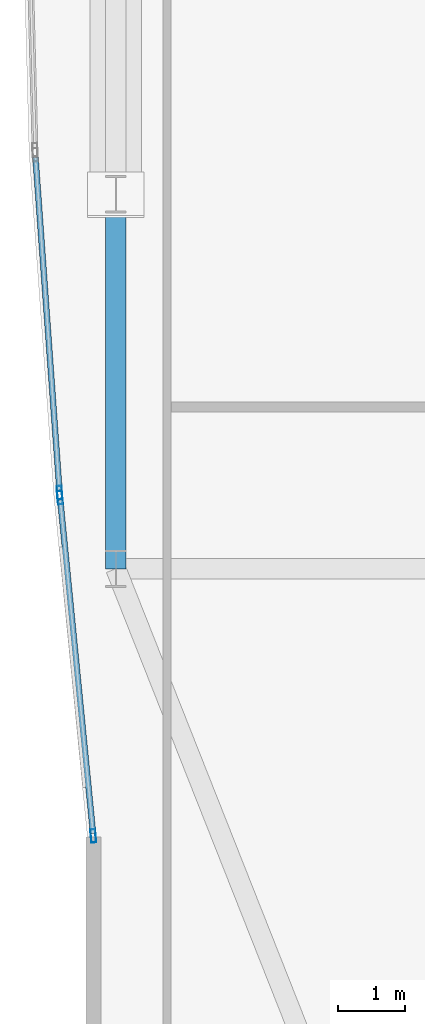
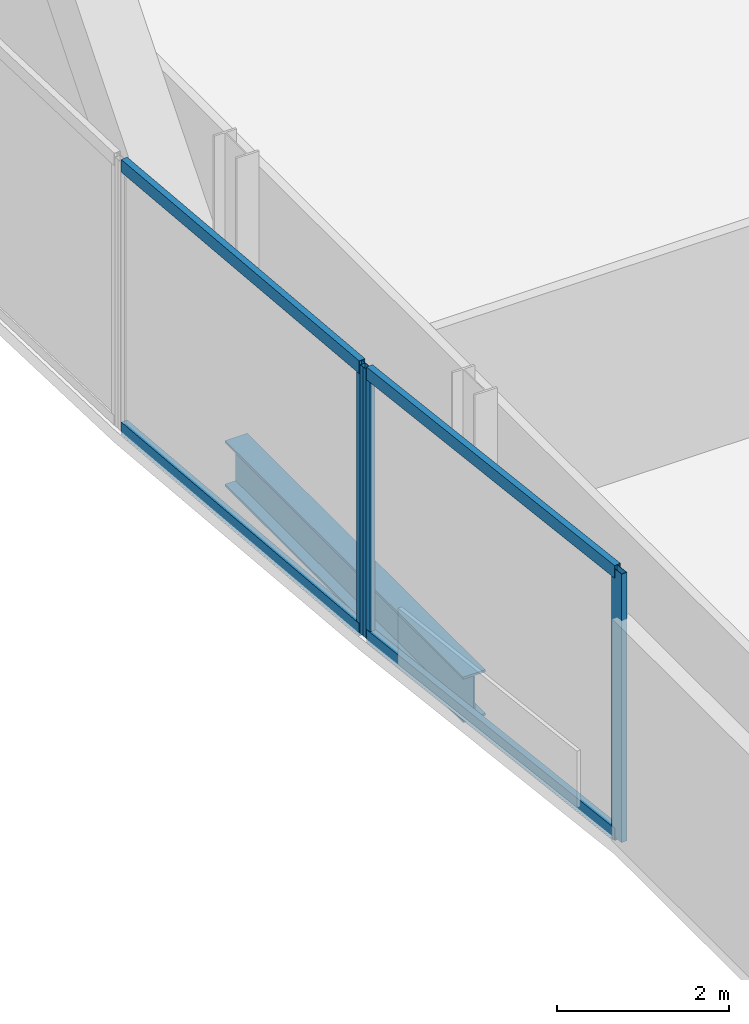
# One storey, part 6 of 33: 7 members, 1 beam, 2 elements without a shape of their own.
"""IFC4 building model written with IfcOpenShell, lengths in metres."""

from ifc_helpers import new_model, si_unit, direction, frame, origin, origin_2d, place, context, subcontext, project, spatial, hollow_rectangle, i_section, extrude, material, material_profile, profile_set, type_object, element, aggregate, save


model = new_model("IFC4")

# Units and contexts
model_context = context("Model", 3, precision=1e-05, world=origin(), true_north=direction((0.0, 1.0)))
body_context = subcontext(model_context, "Body", "Model", "MODEL_VIEW")
ifc_project = project(units=[si_unit("LENGTHUNIT", "METRE"), si_unit("AREAUNIT", "SQUARE_METRE"), si_unit("VOLUMEUNIT", "CUBIC_METRE"), si_unit("PLANEANGLEUNIT", "RADIAN"), si_unit("MASSUNIT", "GRAM", prefix="KILO")], contexts=[model_context])

# Site, building, storey
site_placement = place(None, origin())
site = spatial("IfcSite", under=ifc_project, at=site_placement, CompositionType="ELEMENT")
building_placement = place(site_placement, origin())
building = spatial("IfcBuilding", under=site, at=building_placement, Name="Khoronbel Lancet Exchange", CompositionType="ELEMENT")
storey_placement = place(building_placement, frame((0.0, 0.0, 73.800048828125)))
storey = spatial("IfcBuildingStorey", under=building, at=storey_placement, Name="L17", CompositionType="ELEMENT", Elevation=73.800048828125)

# Beam
ifc_material_1 = material(Name="Steel S355", Category="steel")
ifc_material_profile_1 = material_profile(ifc_material_1, i_section(OverallWidth=0.300048828125, OverallDepth=0.64990234375, WebThickness=0.01611328125, FlangeThickness=0.031005859375, at=origin_2d()), Name="HEB 650")
ifc_profile_set_1 = profile_set([ifc_material_profile_1], Name="Steel S355")
beam_type = type_object("IfcBeamType", Name="BM-BSP1", PredefinedType="SPANDREL", material=ifc_profile_set_1)
beam_placement = place(storey_placement, frame((1.27001953125, 24.75, -0.505126953125), z_axis=(0.0, -1.0, 0.0), x_axis=(1.0, 0.0, 0.0)))
element("IfcBeam", 1, at=beam_placement, inside=storey, type_object=beam_type, Name="Level L17 perimeter spandrel beam SP20", PredefinedType="SPANDREL", context=body_context, shape_type="SweptSolid", body=[
    extrude(i_section(OverallWidth=0.300048828125, OverallDepth=0.64990234375, WebThickness=0.01611328125, FlangeThickness=0.031005859375, at=origin_2d()), origin(), (0.0, 0.0, 1.0), 5.550048828125),
])

# Curtain wall, members
ifc_material_2 = material(Name="Low-E Solar Control Insulating Glass", Category="glass")
curtain_wall_type = type_object("IfcCurtainWallType", Name="CW-4", PredefinedType="NOTDEFINED", material=ifc_material_2)
curtain_wall_1_placement = place(storey_placement, origin())
curtain_wall_1 = element("IfcCurtainWall", 2, at=curtain_wall_1_placement, inside=storey, type_object=curtain_wall_type, Name="Unitised curtain wall CW-L17-E04", PredefinedType="NOTDEFINED")
ifc_material_3 = material(Name="Bronze-Anodised Aluminium 6063-T6", Category="aluminium")
ifc_material_profile_2 = material_profile(ifc_material_3, hollow_rectangle(XDim=0.074951171875, YDim=0.199951171875, WallThickness=0.0048828125, at=origin_2d()), Name="ALU MULLION 75x200")
ifc_profile_set_2 = profile_set([ifc_material_profile_2], Name="Bronze-Anodised Aluminium 6063-T6")
member_type_1 = type_object("IfcMemberType", Name="MEM-CWM2", PredefinedType="MULLION", material=ifc_profile_set_2)
member_1_placement = place(storey_placement, frame((0.936279296875, 15.24169921875, 0.0), z_axis=(0.0, 0.0, 1.0), x_axis=(-0.995197629598, -0.09788604621, 0.0)))
member_1 = element("IfcMember", 3, at=member_1_placement, type_object=member_type_1, Name="CW4 mullion 1", PredefinedType="MULLION", context=body_context, shape_type="SweptSolid", body=[
    extrude(hollow_rectangle(XDim=0.074951171875, YDim=0.199951171875, WallThickness=0.0048828125, at=origin_2d()), origin(), (0.0, 0.0, 1.0), 3.820068359375),
])
member_2_placement = place(storey_placement, frame((0.443359375, 20.253662109375, 0.0), z_axis=(0.0, 0.0, 1.0), x_axis=(-0.995197629598, -0.09788604621, 0.0)))
member_2 = element("IfcMember", 4, at=member_2_placement, type_object=member_type_1, Name="CW4 mullion 2", PredefinedType="MULLION", context=body_context, shape_type="SweptSolid", body=[
    extrude(hollow_rectangle(XDim=0.074951171875, YDim=0.199951171875, WallThickness=0.0048828125, at=origin_2d()), origin(), (0.0, 0.0, 1.0), 3.820068359375),
])

# Curtain wall, member
curtain_wall_2_placement = place(storey_placement, origin())
curtain_wall_2 = element("IfcCurtainWall", 5, at=curtain_wall_2_placement, inside=storey, type_object=curtain_wall_type, Name="Unitised curtain wall CW-L17-E05", PredefinedType="NOTDEFINED")
member_3_placement = place(storey_placement, frame((0.43701171875, 20.328369140625, 0.0), z_axis=(0.0, 0.0, 1.0), x_axis=(-0.997417674327, -0.071819098708, 0.0)))
member_3 = element("IfcMember", 6, at=member_3_placement, type_object=member_type_1, Name="CW4 mullion 1", PredefinedType="MULLION", context=body_context, shape_type="SweptSolid", body=[
    extrude(hollow_rectangle(XDim=0.074951171875, YDim=0.199951171875, WallThickness=0.0048828125, at=origin_2d()), origin(), (0.0, 0.0, 1.0), 3.820068359375),
])

# Member
ifc_material_profile_3 = material_profile(ifc_material_3, hollow_rectangle(XDim=0.0849609375, YDim=0.179931640625, WallThickness=0.0048828125, at=origin_2d()), Name="ALU TRANSOM 85x180")
ifc_profile_set_3 = profile_set([ifc_material_profile_3], Name="Bronze-Anodised Aluminium 6063-T6")
member_type_2 = type_object("IfcMemberType", Name="MEM-CWT1", PredefinedType="USERDEFINED", material=ifc_profile_set_3)
member_4_placement = place(storey_placement, frame((0.9326171875, 15.279052734375, 0.04248046875), z_axis=(-0.097881078823, 0.99519811817, 0.0), x_axis=(-0.99519811817, -0.097881078823, 0.0)))
member_4 = element("IfcMember", 7, at=member_4_placement, type_object=member_type_2, Name="CW4 transom 1.1", ObjectType="TRANSOM", PredefinedType="USERDEFINED", context=body_context, shape_type="SweptSolid", body=[
    extrude(hollow_rectangle(XDim=0.0849609375, YDim=0.179931640625, WallThickness=0.0048828125, at=origin_2d()), origin(), (0.0, 0.0, 1.0), 4.961181640625),
])

member_5_placement = place(storey_placement, frame((0.9326171875, 15.279052734375, 3.77734375), z_axis=(-0.097881078823, 0.99519811817, 0.0), x_axis=(-0.99519811817, -0.097881078823, 0.0)))
member_5 = element("IfcMember", 8, at=member_5_placement, type_object=member_type_2, Name="CW4 transom 1.2", ObjectType="TRANSOM", PredefinedType="USERDEFINED", context=body_context, shape_type="SweptSolid", body=[
    extrude(hollow_rectangle(XDim=0.0849609375, YDim=0.179931640625, WallThickness=0.0048828125, at=origin_2d()), origin(), (0.0, 0.0, 1.0), 4.961181640625),
])

aggregate(curtain_wall_1, [member_1, member_2, member_4, member_5])

member_6_placement = place(storey_placement, frame((0.434326171875, 20.36572265625, 0.04248046875), z_axis=(-0.071808595663, 0.997418430544, 0.0), x_axis=(-0.997418430544, -0.071808595663, 0.0)))
member_6 = element("IfcMember", 9, at=member_6_placement, type_object=member_type_2, Name="CW4 transom 1.1", ObjectType="TRANSOM", PredefinedType="USERDEFINED", context=body_context, shape_type="SweptSolid", body=[
    extrude(hollow_rectangle(XDim=0.0849609375, YDim=0.179931640625, WallThickness=0.0048828125, at=origin_2d()), origin(), (0.0, 0.0, 1.0), 4.943359375),
])

member_7_placement = place(storey_placement, frame((0.434326171875, 20.36572265625, 3.77734375), z_axis=(-0.071808595663, 0.997418430544, 0.0), x_axis=(-0.997418430544, -0.071808595663, 0.0)))
member_7 = element("IfcMember", 10, at=member_7_placement, type_object=member_type_2, Name="CW4 transom 1.2", ObjectType="TRANSOM", PredefinedType="USERDEFINED", context=body_context, shape_type="SweptSolid", body=[
    extrude(hollow_rectangle(XDim=0.0849609375, YDim=0.179931640625, WallThickness=0.0048828125, at=origin_2d()), origin(), (0.0, 0.0, 1.0), 4.943359375),
])

aggregate(curtain_wall_2, [member_3, member_6, member_7])

save(model, "model.ifc")
